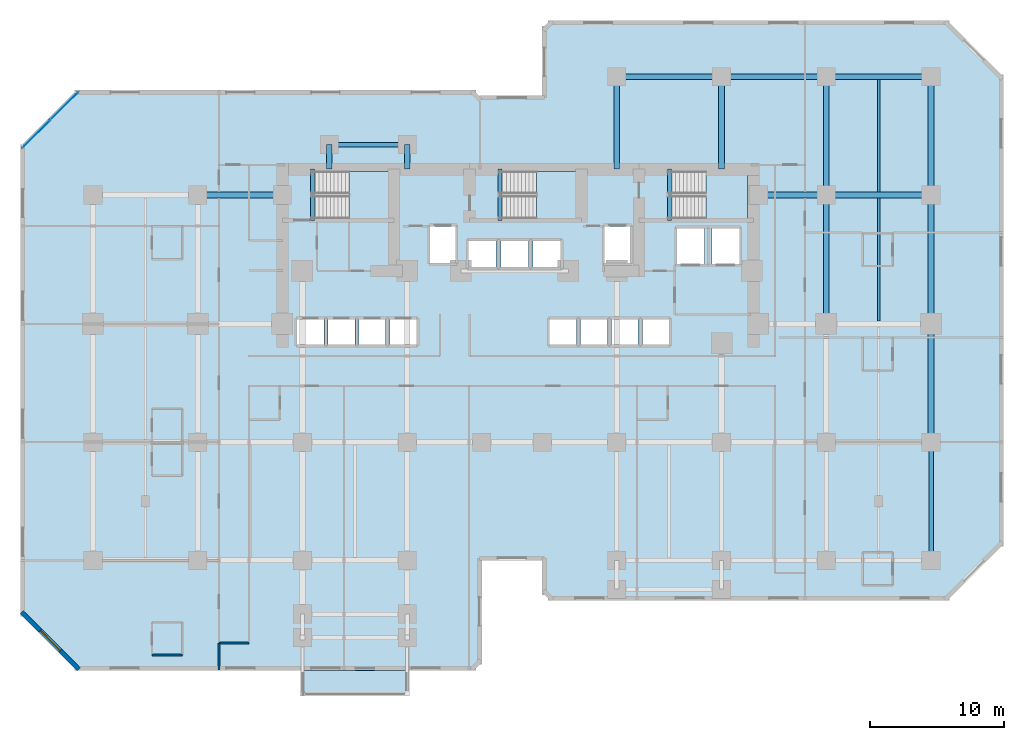
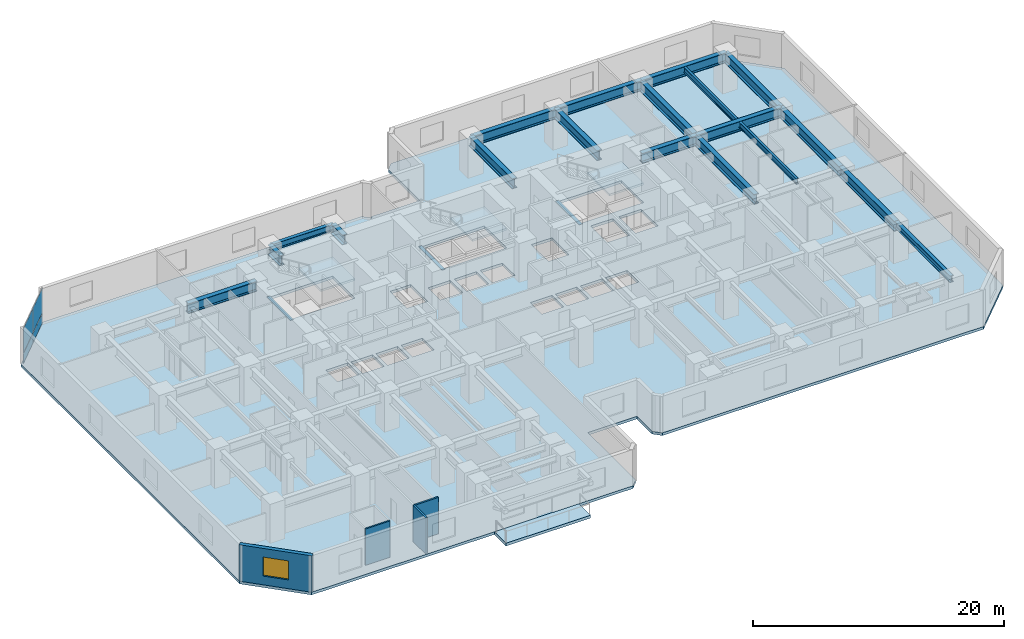
# One storey, part 4 of 11: 22 beams, 5 slabs, 4 plates, 4 walls, 1 window, 1 opening, 4 elements without a shape of their own.
"""IFC4 building model written with IfcOpenShell, lengths in metres."""

import ifcopenshell
import ifcopenshell.guid

model = None  # the IFC model being written
_history = None  # IfcOwnerHistory: only IFC2X3 demands one
_inside = {}  # id of a spatial element -> (the spatial element, [elements in it])
_under = {}  # id of a project, library or spatial element -> (it, [spatial elements below it])
_declared = {}  # id of a project -> (the project, [libraries it declares])
_typed = {}  # id of a type object -> (the type object, [elements of that type])
_made_of = {}  # id of a material, layer set ... -> (it, [elements and type objects made of it])


def new_model(schema):
    """Start an empty IFC model of exactly this schema.

    Asked for "IFC4X3", IfcOpenShell would pick the latest addendum, in which some entities
    have other attributes; the version numbers below select the first issue.
    IFC2X3 requires an IfcOwnerHistory on every rooted entity: one is made here for all.
    """
    global model, _history
    if schema == "IFC4X3":
        model = ifcopenshell.file(schema_version=(4, 3, 0, 0))
    else:
        model = ifcopenshell.file(schema=schema)
    _inside.clear()
    _under.clear()
    _declared.clear()
    _typed.clear()
    _made_of.clear()
    _history = None
    if model.schema == "IFC2X3":
        org = make("IfcOrganization", Name="unknown")
        user = make(
            "IfcPersonAndOrganization",
            ThePerson=make("IfcPerson", FamilyName="unknown"),
            TheOrganization=org,
        )
        app = make(
            "IfcApplication",
            ApplicationDeveloper=org,
            Version="unknown",
            ApplicationFullName="unknown",
            ApplicationIdentifier="unknown",
        )
        _history = make(
            "IfcOwnerHistory",
            OwningUser=user,
            OwningApplication=app,
            ChangeAction="ADDED",
            CreationDate=0,
        )
    return model


def make(cls, **values):
    """One entity of the class cls with the attributes given. An attribute that is None is left unset."""
    return model.create_entity(
        cls, **{name: value for name, value in values.items() if value is not None}
    )


def rooted(cls, **values):
    """An entity with a GlobalId (a new one), such as an element, a storey or a relation."""
    return make(cls, GlobalId=ifcopenshell.guid.new(), OwnerHistory=_history, **values)


def si_unit(unit_type, name, prefix=None):
    """IfcSIUnit, for example si_unit("LENGTHUNIT", "METRE", prefix="MILLI")."""
    return make("IfcSIUnit", UnitType=unit_type, Prefix=prefix, Name=name)


def assignment(units):
    """IfcUnitAssignment: the units of a project."""
    return None if units is None else make("IfcUnitAssignment", Units=units)


def point(xyz):
    """IfcCartesianPoint."""
    return None if xyz is None else make("IfcCartesianPoint", Coordinates=xyz)


def direction(xyz):
    """IfcDirection."""
    return None if xyz is None else make("IfcDirection", DirectionRatios=xyz)


def frame(location, z_axis=None, x_axis=None):
    """IfcAxis2Placement3D, a coordinate frame: its origin and axes. An axis left out is left unset."""
    return make(
        "IfcAxis2Placement3D",
        Location=point(location),
        Axis=direction(z_axis),
        RefDirection=direction(x_axis),
    )


def frame_2d(location, x_axis=None):
    """IfcAxis2Placement2D, a coordinate frame in the plane: its origin and x axis."""
    return make(
        "IfcAxis2Placement2D", Location=point(location), RefDirection=direction(x_axis)
    )


def origin():
    """The frame at (0, 0, 0) with its axes left unset."""
    return frame((0.0, 0.0, 0.0))


def origin_2d():
    """The frame at (0, 0) in the plane with its x axis left unset."""
    return frame_2d((0.0, 0.0))


def place(relative_to, where):
    """IfcLocalPlacement: puts the frame where relative to a parent placement (None: the world)."""
    return make(
        "IfcLocalPlacement", PlacementRelTo=relative_to, RelativePlacement=where
    )


def context(
    kind, dimensions, precision=None, world=None, true_north=None, identifier=None
):
    """IfcGeometricRepresentationContext, for example the 3D "Model" context."""
    return make(
        "IfcGeometricRepresentationContext",
        ContextIdentifier=identifier,
        ContextType=kind,
        CoordinateSpaceDimension=dimensions,
        Precision=precision,
        WorldCoordinateSystem=world,
        TrueNorth=true_north,
    )


def subcontext(parent, identifier, kind, view, scale=None):
    """IfcGeometricRepresentationSubContext, for example "Body" below "Model"."""
    return make(
        "IfcGeometricRepresentationSubContext",
        ContextIdentifier=identifier,
        ContextType=kind,
        ParentContext=parent,
        TargetScale=scale,
        TargetView=view,
    )


def project(units=None, contexts=None):
    """IfcProject with its units and contexts."""
    return rooted(
        "IfcProject",
        Name="project",
        RepresentationContexts=contexts,
        UnitsInContext=assignment(units),
    )


def spatial(cls, under=None, at=None, **own):
    """A site, building, storey or space (cls), placed at a placement, below another one or the project."""
    s = rooted(cls, ObjectPlacement=at, **own)
    if under is not None:
        _under.setdefault(under.id(), (under, []))[1].append(s)
    return s


def polyline(points):
    """IfcPolyline through the points."""
    return make("IfcPolyline", Points=[point(p) for p in points])


def profile(cls, at=None, kind="AREA", **sizes):
    """A parametric profile (cls). Its sizes go by their IFC names, for example OverallWidth=200.0."""
    return make(cls, ProfileType=kind, Position=at, **sizes)


def rectangle(**sizes):
    """IfcRectangleProfileDef."""
    return profile("IfcRectangleProfileDef", **sizes)


def i_section(**sizes):
    """IfcIShapeProfileDef."""
    return profile("IfcIShapeProfileDef", **sizes)


def outline(outer, holes=None, kind="AREA"):
    """IfcArbitraryClosedProfileDef: a profile drawn as a closed curve; with holes, ...WithVoids."""
    if holes is None:
        return make("IfcArbitraryClosedProfileDef", ProfileType=kind, OuterCurve=outer)
    return make(
        "IfcArbitraryProfileDefWithVoids",
        ProfileType=kind,
        OuterCurve=outer,
        InnerCurves=holes,
    )


def extrude(swept, where, along, depth):
    """IfcExtrudedAreaSolid: the profile swept, set in the frame where, extruded along a direction by depth."""
    return make(
        "IfcExtrudedAreaSolid",
        SweptArea=swept,
        Position=where,
        ExtrudedDirection=direction(along),
        Depth=depth,
    )


def shape(context_of_items, identifier, shape_type, items):
    """IfcShapeRepresentation: the items that make up one representation, for example the "Body"."""
    return make(
        "IfcShapeRepresentation",
        ContextOfItems=context_of_items,
        RepresentationIdentifier=identifier,
        RepresentationType=shape_type,
        Items=items,
    )


def material(Name=None, Category=None):
    """IfcMaterial."""
    return make("IfcMaterial", Name=Name, Category=Category)


def layer(
    of_material, thickness, ventilated=None, Name=None, Category=None, Priority=None
):
    """IfcMaterialLayer: one layer of a wall or slab, of a material (None: an air gap)."""
    return make(
        "IfcMaterialLayer",
        Material=of_material,
        LayerThickness=thickness,
        IsVentilated=ventilated,
        Name=Name,
        Category=Category,
        Priority=Priority,
    )


def layer_set(layers, Name=None):
    """IfcMaterialLayerSet."""
    return make("IfcMaterialLayerSet", MaterialLayers=layers, LayerSetName=Name)


def material_profile(
    of_material, cross_section, Name=None, Category=None, Priority=None
):
    """IfcMaterialProfile: a cross section and its material."""
    return make(
        "IfcMaterialProfile",
        Name=Name,
        Material=of_material,
        Profile=cross_section,
        Priority=Priority,
        Category=Category,
    )


def profile_set(profiles, Name=None, composite=None):
    """IfcMaterialProfileSet."""
    return make(
        "IfcMaterialProfileSet",
        Name=Name,
        MaterialProfiles=profiles,
        CompositeProfile=composite,
    )


def made_of(thing, what):
    """Note that an element or type object is made of a material, layer set ...; save() writes the relation."""
    if what is not None:
        _made_of.setdefault(what.id(), (what, []))[1].append(thing)
    return thing


def type_object(cls, material=None, **own):
    """A type object (cls), such as IfcWallType, which elements share."""
    return made_of(rooted(cls, **own), material)


def element(
    cls,
    number,
    at=None,
    inside=None,
    cuts=None,
    type_object=None,
    material=None,
    context=None,
    identifier="Body",
    shape_type=None,
    held_by="IfcProductDefinitionShape",
    body=None,
    shapes=None,
    **own,
):
    """One element of the class cls, such as IfcWall. Its Tag is "e" and its number.

    at: its placement. inside: the storey or other place that contains it. cuts: it is an
    opening in that element (IfcRelVoidsElement). A single representation is given by context,
    identifier, shape_type and body (its items); several are given by shapes. held_by: the class
    of the entity that holds the representations. save() writes the other relations.
    """
    e = rooted(cls, Tag="e%d" % number, ObjectPlacement=at, **own)
    if body is not None:
        shapes = [shape(context, identifier, shape_type, body)]
    if shapes is not None:
        e.Representation = make(held_by, Representations=shapes)
    if inside is not None:
        _inside.setdefault(inside.id(), (inside, []))[1].append(e)
    if cuts is not None:
        rooted(
            "IfcRelVoidsElement", RelatingBuildingElement=cuts, RelatedOpeningElement=e
        )
    if type_object is not None:
        _typed.setdefault(type_object.id(), (type_object, []))[1].append(e)
    return made_of(e, material)


def fill(opening, filler):
    """IfcRelFillsElement: the door or window that sits in an opening."""
    return rooted(
        "IfcRelFillsElement",
        RelatingOpeningElement=opening,
        RelatedBuildingElement=filler,
    )


def aggregate(whole, parts):
    """IfcRelAggregates: a whole, such as a stair, and the parts it consists of."""
    return rooted("IfcRelAggregates", RelatingObject=whole, RelatedObjects=parts)


def save(model, path):
    """Write the relations noted so far, then the file.

    IfcRelAggregates (storeys below a building ...), IfcRelContainedInSpatialStructure (elements
    in a storey), IfcRelDefinesByType, IfcRelAssociatesMaterial and IfcRelDeclares: one each for
    every whole, place, type object, material and project.
    """
    for whole, parts in _under.values():
        aggregate(whole, parts)
    for where, things in _inside.values():
        rooted(
            "IfcRelContainedInSpatialStructure",
            RelatedElements=things,
            RelatingStructure=where,
        )
    for kind, things in _typed.values():
        rooted("IfcRelDefinesByType", RelatedObjects=things, RelatingType=kind)
    for what, things in _made_of.values():
        rooted("IfcRelAssociatesMaterial", RelatedObjects=things, RelatingMaterial=what)
    for by, libraries in _declared.values():
        rooted("IfcRelDeclares", RelatingContext=by, RelatedDefinitions=libraries)
    model.write(path)


model = new_model("IFC4")

# Units and contexts
model_context = context("Model", 3, precision=1e-05, world=origin(), true_north=direction((0.0, 1.0)))
body_context = subcontext(model_context, "Body", "Model", "MODEL_VIEW")
ifc_project = project(units=[si_unit("LENGTHUNIT", "METRE"), si_unit("AREAUNIT", "SQUARE_METRE"), si_unit("VOLUMEUNIT", "CUBIC_METRE"), si_unit("PLANEANGLEUNIT", "RADIAN"), si_unit("MASSUNIT", "GRAM", prefix="KILO")], contexts=[model_context])

# Site, building, storey
site_placement = place(None, origin())
site = spatial("IfcSite", under=ifc_project, at=site_placement, CompositionType="ELEMENT")
building_placement = place(site_placement, origin())
building = spatial("IfcBuilding", under=site, at=building_placement, Name="Kestravale Grand Hotel", CompositionType="ELEMENT")
storey_placement = place(building_placement, frame((0.0, 0.0, 37.39990234375)))
storey = spatial("IfcBuildingStorey", under=building, at=storey_placement, Name="L08", CompositionType="ELEMENT", Elevation=37.39990234375)

# Beams
ifc_material_1 = material(Name="Steel ASTM A992 Grade 50", Category="steel")
ifc_material_profile_1 = material_profile(ifc_material_1, i_section(OverallWidth=0.2099609375, OverallDepth=0.535888671875, WebThickness=0.010986328125, FlangeThickness=0.017333984375, FilletRadius=0.017578125, at=origin_2d()))
ifc_profile_set_1 = profile_set([ifc_material_profile_1], Name="Steel ASTM A992 Grade 50")
beam_type_1 = type_object("IfcBeamType", Name="B-FLR-JST21", PredefinedType="JOIST", material=ifc_profile_set_1)
beam_1_placement = place(storey_placement, frame((66.300048828125, 29.011962890625, 3.272216796875), z_axis=(0.0, 1.0, 0.0), x_axis=(-1.0, 0.0, 0.0)))
element("IfcBeam", 1, at=beam_1_placement, inside=storey, type_object=beam_type_1, Name="L08 floor joist 10-11/E-F #1", PredefinedType="JOIST", context=body_context, shape_type="SweptSolid", body=[
    extrude(i_section(OverallWidth=0.2099609375, OverallDepth=0.535888671875, WebThickness=0.010986328125, FlangeThickness=0.017333984375, FilletRadius=0.017578125, at=origin_2d()), origin(), (0.0, 0.0, 1.0), 9.176025390625),
])
beam_2_placement = place(storey_placement, frame((66.300048828125, 38.612060546875, 3.272216796875), z_axis=(0.0, 1.0, 0.0), x_axis=(-1.0, 0.0, 0.0)))
element("IfcBeam", 2, at=beam_2_placement, inside=storey, type_object=beam_type_1, Name="L08 floor joist 10-11/F-G #1", PredefinedType="JOIST", context=body_context, shape_type="SweptSolid", body=[
    extrude(i_section(OverallWidth=0.2099609375, OverallDepth=0.535888671875, WebThickness=0.010986328125, FlangeThickness=0.017333984375, FilletRadius=0.017578125, at=origin_2d()), origin(), (0.0, 0.0, 1.0), 8.3759765625),
])
ifc_material_2 = material(Name="Concrete f'c 45 MPa", Category="concrete")
ifc_material_profile_2 = material_profile(ifc_material_2, rectangle(XDim=0.300048828125, YDim=0.39990234375, at=origin_2d()))
ifc_profile_set_2 = profile_set([ifc_material_profile_2], Name="Concrete f'c 45 MPa")
beam_type_2 = type_object("IfcBeamType", Name="B-FLR-LNT400", PredefinedType="LINTEL", material=ifc_profile_set_2)
for number, where, z_axis, x_axis, name in (
    (3, (24.159912109375, 36.52001953125, -0.199951171875), (0.0, 1.0, 0.0), (-1.0, 0.0, 0.0), "L08 ST1 flight bottom header beam"),
    (4, (38.110107421875, 36.52001953125, -0.199951171875), (0.0, 1.0, 0.0), (-1.0, 0.0, 0.0), "L08 ST2 flight bottom header beam"),
    (5, (50.7099609375, 36.52001953125, -0.199951171875), (0.0, 1.0, 0.0), (-1.0, 0.0, 0.0), "L08 ST3 flight bottom header beam"),
):
    element("IfcBeam", number, at=place(storey_placement, frame(where, z_axis=z_axis, x_axis=x_axis)), inside=storey, type_object=beam_type_2, Name=name, PredefinedType="LINTEL", context=body_context, shape_type="SweptSolid", body=[
        extrude(rectangle(XDim=0.300048828125, YDim=0.39990234375, at=origin_2d()), origin(), (0.0, 0.0, 1.0), 3.800048828125),
    ])
ifc_material_3 = material(Name="Steel ASTM A992 Grade 50", Category="steel")
ifc_material_profile_3 = material_profile(ifc_material_3, i_section(OverallWidth=0.324951171875, OverallDepth=0.612060546875, WebThickness=0.0126953125, FlangeThickness=0.01904296875, FilletRadius=0.018798828125, at=origin_2d()))
ifc_profile_set_3 = profile_set([ifc_material_profile_3], Name="Steel ASTM A992 Grade 50")
beam_type_3 = type_object("IfcBeamType", Name="B-FLR-W24A", PredefinedType="SPANDREL", material=ifc_profile_set_3)
beam_3_placement = place(storey_placement, frame((25.39990234375, 42.14990234375, 3.234130859375), z_axis=(1.0, 0.0, 0.0), x_axis=(0.0, 1.0, 0.0)))
element("IfcBeam", 6, at=beam_3_placement, inside=storey, type_object=beam_type_3, Name="L08 perimeter tie spandrel FN:4-5", PredefinedType="SPANDREL", context=body_context, shape_type="SweptSolid", body=[
    extrude(i_section(OverallWidth=0.324951171875, OverallDepth=0.612060546875, WebThickness=0.0126953125, FlangeThickness=0.01904296875, FilletRadius=0.018798828125, at=origin_2d()), origin(), (0.0, 0.0, 1.0), 5.800048828125),
])
beam_4_placement = place(storey_placement, frame((70.199951171875, 11.199951171875, 3.234130859375), z_axis=(0.0, 1.0, 0.0), x_axis=(-1.0, 0.0, 0.0)))
element("IfcBeam", 7, at=beam_4_placement, inside=storey, type_object=beam_type_3, Name="L08 spandrel 11:C-D", PredefinedType="SPANDREL", context=body_context, shape_type="SweptSolid", body=[
    extrude(i_section(OverallWidth=0.324951171875, OverallDepth=0.612060546875, WebThickness=0.0126953125, FlangeThickness=0.01904296875, FilletRadius=0.018798828125, at=origin_2d()), origin(), (0.0, 0.0, 1.0), 8.800048828125),
])
ifc_material_4 = material(Name="Steel ASTM A992 Grade 50", Category="steel")
ifc_material_profile_4 = material_profile(ifc_material_4, i_section(OverallWidth=0.424072265625, OverallDepth=0.947021484375, WebThickness=0.02392578125, FlangeThickness=0.042724609375, FilletRadius=0.0283203125, at=origin_2d()))
ifc_profile_set_4 = profile_set([ifc_material_profile_4], Name="Steel ASTM A992 Grade 50")
beam_type_4 = type_object("IfcBeamType", Name="B-GRD-W36", PredefinedType="BEAM", material=ifc_profile_set_4)
beam_5_placement = place(storey_placement, frame((15.60009765625, 38.39990234375, 3.066650390625), z_axis=(1.0, 0.0, 0.0), x_axis=(0.0, 1.0, 0.0)))
element("IfcBeam", 8, at=beam_5_placement, inside=storey, type_object=beam_type_4, Name="L08 girder F:3-CW", PredefinedType="BEAM", context=body_context, shape_type="SweptSolid", body=[
    extrude(i_section(OverallWidth=0.424072265625, OverallDepth=0.947021484375, WebThickness=0.02392578125, FlangeThickness=0.042724609375, FilletRadius=0.0283203125, at=origin_2d()), origin(), (0.0, 0.0, 1.0), 6.2998046875),
])
beam_6_placement = place(storey_placement, frame((57.35009765625, 38.39990234375, 3.066650390625), z_axis=(1.0, 0.0, 0.0), x_axis=(0.0, 1.0, 0.0)))
element("IfcBeam", 9, at=beam_6_placement, inside=storey, type_object=beam_type_4, Name="L08 girder F:CE-10", PredefinedType="BEAM", context=body_context, shape_type="SweptSolid", body=[
    extrude(i_section(OverallWidth=0.424072265625, OverallDepth=0.947021484375, WebThickness=0.02392578125, FlangeThickness=0.042724609375, FilletRadius=0.0283203125, at=origin_2d()), origin(), (0.0, 0.0, 1.0), 5.0498046875),
])
for number, where, z_axis, x_axis, name in (
    (10, (62.39990234375, 38.39990234375, 3.066650390625), (1.0, 0.0, 0.0), (0.0, 1.0, 0.0), "L08 girder F:10-11"),
    (11, (46.800048828125, 47.199951171875, 3.066650390625), (1.0, 0.0, 0.0), (0.0, 1.0, 0.0), "L08 girder G:8-9"),
):
    element("IfcBeam", number, at=place(storey_placement, frame(where, z_axis=z_axis, x_axis=x_axis)), inside=storey, type_object=beam_type_4, Name=name, PredefinedType="BEAM", context=body_context, shape_type="SweptSolid", body=[
        extrude(i_section(OverallWidth=0.424072265625, OverallDepth=0.947021484375, WebThickness=0.02392578125, FlangeThickness=0.042724609375, FilletRadius=0.0283203125, at=origin_2d()), origin(), (0.0, 0.0, 1.0), 7.800048828125),
    ])
beam_7_placement = place(storey_placement, frame((54.60009765625, 47.199951171875, 3.066650390625), z_axis=(1.0, 0.0, 0.0), x_axis=(0.0, 1.0, 0.0)))
element("IfcBeam", 12, at=beam_7_placement, inside=storey, type_object=beam_type_4, Name="L08 girder G:9-10", PredefinedType="BEAM", context=body_context, shape_type="SweptSolid", body=[
    extrude(i_section(OverallWidth=0.424072265625, OverallDepth=0.947021484375, WebThickness=0.02392578125, FlangeThickness=0.042724609375, FilletRadius=0.0283203125, at=origin_2d()), origin(), (0.0, 0.0, 1.0), 7.7998046875),
])
beam_8_placement = place(storey_placement, frame((62.39990234375, 47.199951171875, 3.066650390625), z_axis=(1.0, 0.0, 0.0), x_axis=(0.0, 1.0, 0.0)))
element("IfcBeam", 13, at=beam_8_placement, inside=storey, type_object=beam_type_4, Name="L08 girder G:10-11", PredefinedType="BEAM", context=body_context, shape_type="SweptSolid", body=[
    extrude(i_section(OverallWidth=0.424072265625, OverallDepth=0.947021484375, WebThickness=0.02392578125, FlangeThickness=0.042724609375, FilletRadius=0.0283203125, at=origin_2d()), origin(), (0.0, 0.0, 1.0), 7.800048828125),
])
beam_9_placement = place(storey_placement, frame((62.39990234375, 28.800048828125, 3.066650390625), z_axis=(0.0, 1.0, 0.0), x_axis=(-1.0, 0.0, 0.0)))
element("IfcBeam", 14, at=beam_9_placement, inside=storey, type_object=beam_type_4, Name="L08 girder 10:E-F", PredefinedType="BEAM", context=body_context, shape_type="SweptSolid", body=[
    extrude(i_section(OverallWidth=0.424072265625, OverallDepth=0.947021484375, WebThickness=0.02392578125, FlangeThickness=0.042724609375, FilletRadius=0.0283203125, at=origin_2d()), origin(), (0.0, 0.0, 1.0), 9.599853515625),
])
for number, where, z_axis, x_axis, name in (
    (15, (62.39990234375, 38.39990234375, 3.066650390625), (0.0, 1.0, 0.0), (-1.0, 0.0, 0.0), "L08 girder 10:F-G"),
    (16, (70.199951171875, 20.0, 3.066650390625), (0.0, 1.0, 0.0), (-1.0, 0.0, 0.0), "L08 girder 11:D-E"),
):
    element("IfcBeam", number, at=place(storey_placement, frame(where, z_axis=z_axis, x_axis=x_axis)), inside=storey, type_object=beam_type_4, Name=name, PredefinedType="BEAM", context=body_context, shape_type="SweptSolid", body=[
        extrude(i_section(OverallWidth=0.424072265625, OverallDepth=0.947021484375, WebThickness=0.02392578125, FlangeThickness=0.042724609375, FilletRadius=0.0283203125, at=origin_2d()), origin(), (0.0, 0.0, 1.0), 8.800048828125),
    ])
beam_10_placement = place(storey_placement, frame((70.199951171875, 28.800048828125, 3.066650390625), z_axis=(0.0, 1.0, 0.0), x_axis=(-1.0, 0.0, 0.0)))
element("IfcBeam", 17, at=beam_10_placement, inside=storey, type_object=beam_type_4, Name="L08 girder 11:E-F", PredefinedType="BEAM", context=body_context, shape_type="SweptSolid", body=[
    extrude(i_section(OverallWidth=0.424072265625, OverallDepth=0.947021484375, WebThickness=0.02392578125, FlangeThickness=0.042724609375, FilletRadius=0.0283203125, at=origin_2d()), origin(), (0.0, 0.0, 1.0), 9.599853515625),
])
beam_11_placement = place(storey_placement, frame((70.199951171875, 38.39990234375, 3.066650390625), z_axis=(0.0, 1.0, 0.0), x_axis=(-1.0, 0.0, 0.0)))
element("IfcBeam", 18, at=beam_11_placement, inside=storey, type_object=beam_type_4, Name="L08 girder 11:F-G", PredefinedType="BEAM", context=body_context, shape_type="SweptSolid", body=[
    extrude(i_section(OverallWidth=0.424072265625, OverallDepth=0.947021484375, WebThickness=0.02392578125, FlangeThickness=0.042724609375, FilletRadius=0.0283203125, at=origin_2d()), origin(), (0.0, 0.0, 1.0), 8.800048828125),
])
for number, where, z_axis, x_axis, name in (
    (19, (25.39990234375, 40.320068359375, 3.066650390625), (0.0, 1.0, 0.0), (-1.0, 0.0, 0.0), "L08 north wing tie girder 4:CN-FN"),
    (20, (31.199951171875, 40.320068359375, 3.066650390625), (0.0, 1.0, 0.0), (-1.0, 0.0, 0.0), "L08 north wing tie girder 5:CN-FN"),
):
    element("IfcBeam", number, at=place(storey_placement, frame(where, z_axis=z_axis, x_axis=x_axis)), inside=storey, type_object=beam_type_4, Name=name, PredefinedType="BEAM", context=body_context, shape_type="SweptSolid", body=[
        extrude(i_section(OverallWidth=0.424072265625, OverallDepth=0.947021484375, WebThickness=0.02392578125, FlangeThickness=0.042724609375, FilletRadius=0.0283203125, at=origin_2d()), origin(), (0.0, 0.0, 1.0), 1.829833984375),
    ])
for number, where, z_axis, x_axis, name in (
    (21, (46.800048828125, 40.320068359375, 3.066650390625), (0.0, 1.0, 0.0), (-1.0, 0.0, 0.0), "L08 north wing tie girder 8:CN-G"),
    (22, (54.60009765625, 40.320068359375, 3.066650390625), (0.0, 1.0, 0.0), (-1.0, 0.0, 0.0), "L08 north wing tie girder 9:CN-G"),
):
    element("IfcBeam", number, at=place(storey_placement, frame(where, z_axis=z_axis, x_axis=x_axis)), inside=storey, type_object=beam_type_4, Name=name, PredefinedType="BEAM", context=body_context, shape_type="SweptSolid", body=[
        extrude(i_section(OverallWidth=0.424072265625, OverallDepth=0.947021484375, WebThickness=0.02392578125, FlangeThickness=0.042724609375, FilletRadius=0.0283203125, at=origin_2d()), origin(), (0.0, 0.0, 1.0), 6.8798828125),
    ])

# Curtain wall, plates
ifc_material_5 = material(Name="Thermally broken champagne-bronze aluminium and low-E glazing", Category="aluminium")
ifc_layer_1 = layer(ifc_material_5, 0.199951171875)
ifc_layer_set_1 = layer_set([ifc_layer_1], Name="CW-Z1")
curtain_wall_type = type_object("IfcCurtainWallType", Name="CW-Z1", PredefinedType="NOTDEFINED", material=ifc_layer_set_1)
curtain_wall_placement = place(storey_placement, origin())
curtain_wall = element("IfcCurtainWall", 23, at=curtain_wall_placement, inside=storey, type_object=curtain_wall_type, Name="L08 unitised curtain wall 18", PredefinedType="NOTDEFINED")
ifc_material_6 = material(Name="Insulated clear low-E double glazing IGU", Category="glass")
ifc_layer_2 = layer(ifc_material_6, 0.035888671875)
ifc_layer_set_2 = layer_set([ifc_layer_2], Name="CW-PNL-36")
plate_type = type_object("IfcPlateType", Name="CW-PNL-36", PredefinedType="CURTAIN_PANEL", material=ifc_layer_set_2)
plate_1_placement = place(storey_placement, frame((5.6640625, 45.023681640625, 0.0751953125), z_axis=(0.0, 0.0, 1.0), x_axis=(-0.707106781187, -0.707106781187, 0.0)))
plate_1 = element("IfcPlate", 24, at=plate_1_placement, type_object=plate_type, Name="CW-Z1 panel 1.1", PredefinedType="CURTAIN_PANEL", context=body_context, shape_type="SweptSolid", body=[
    extrude(rectangle(XDim=2.87744140625, YDim=0.035888671875, at=origin_2d()), origin(), (0.0, 0.0, 1.0), 0.9375),
])
plate_2_placement = place(storey_placement, frame((5.6640625, 45.023681640625, 1.087646484375), z_axis=(0.0, 0.0, 1.0), x_axis=(-0.707106781187, -0.707106781187, 0.0)))
plate_2 = element("IfcPlate", 25, at=plate_2_placement, type_object=plate_type, Name="CW-Z1 panel 1.2", PredefinedType="CURTAIN_PANEL", context=body_context, shape_type="SweptSolid", body=[
    extrude(rectangle(XDim=2.87744140625, YDim=0.035888671875, at=origin_2d()), origin(), (0.0, 0.0, 1.0), 2.37744140625),
])
plate_3_placement = place(storey_placement, frame((3.576416015625, 42.93603515625, 0.0751953125), z_axis=(0.0, 0.0, 1.0), x_axis=(-0.707106781187, -0.707106781187, 0.0)))
plate_3 = element("IfcPlate", 26, at=plate_3_placement, type_object=plate_type, Name="CW-Z1 panel 2.1", PredefinedType="CURTAIN_PANEL", context=body_context, shape_type="SweptSolid", body=[
    extrude(rectangle(XDim=2.87744140625, YDim=0.035888671875, at=origin_2d()), origin(), (0.0, 0.0, 1.0), 0.9375),
])
plate_4_placement = place(storey_placement, frame((3.576416015625, 42.93603515625, 1.087646484375), z_axis=(0.0, 0.0, 1.0), x_axis=(-0.707106781187, -0.707106781187, 0.0)))
plate_4 = element("IfcPlate", 27, at=plate_4_placement, type_object=plate_type, Name="CW-Z1 panel 2.2", PredefinedType="CURTAIN_PANEL", context=body_context, shape_type="SweptSolid", body=[
    extrude(rectangle(XDim=2.87744140625, YDim=0.035888671875, at=origin_2d()), origin(), (0.0, 0.0, 1.0), 2.37744140625),
])
aggregate(curtain_wall, [plate_1, plate_2, plate_3, plate_4])

# Slab
ifc_material_7 = material(Name="Concrete f'c 45 MPa", Category="concrete")
ifc_layer_3 = layer(ifc_material_7, 0.27001953125)
ifc_layer_set_3 = layer_set([ifc_layer_3], Name="ES-TERR-270")
slab_type_1 = type_object("IfcSlabType", Name="ES-TERR-270", PredefinedType="FLOOR", material=ifc_layer_set_3)
slab_1_placement = place(storey_placement, frame((0.0, 0.0, -0.27001953125)))
element("IfcSlab", 28, at=slab_1_placement, inside=storey, type_object=slab_type_1, Name="L08 spiralling planted garden terrace", PredefinedType="FLOOR", context=body_context, shape_type="SweptSolid", body=[
    extrude(outline(polyline([(23.39990234375, 1.14990234375), (31.199951171875, 1.14990234375), (31.199951171875, 3.0), (23.39990234375, 3.0), (23.39990234375, 1.14990234375)])), origin(), (0.0, 0.0, 1.0), 0.27001953125),
])

# Stair, slab
ifc_material_8 = material(Name="Concrete f'c 45 MPa", Category="concrete")
stair_type = type_object("IfcStairType", Name="ST-CORE-380", PredefinedType="HALF_TURN_STAIR", material=ifc_material_8)
stair_1_placement = place(storey_placement, origin())
stair_1 = element("IfcStair", 29, at=stair_1_placement, inside=storey, type_object=stair_type, Name="L08 ST-1", PredefinedType="HALF_TURN_STAIR")
ifc_material_9 = material(Name="Concrete f'c 45 MPa", Category="concrete")
ifc_layer_4 = layer(ifc_material_9, 0.199951171875)
ifc_layer_set_4 = layer_set([ifc_layer_4], Name="SLB-ST-LND200")
slab_type_2 = type_object("IfcSlabType", Name="SLB-ST-LND200", PredefinedType="LANDING", material=ifc_layer_set_4)
slab_2_placement = place(storey_placement, frame((0.0, 0.0, 1.7001953125)))
slab_2 = element("IfcSlab", 30, at=slab_2_placement, type_object=slab_type_2, Name="ST-1 landing 1", PredefinedType="LANDING", context=body_context, shape_type="SweptSolid", body=[
    extrude(outline(polyline([(26.8798828125, 36.64990234375), (30.0, 36.64990234375), (30.0, 40.159912109375), (26.8798828125, 40.159912109375), (26.8798828125, 36.64990234375)])), origin(), (0.0, 0.0, 1.0), 0.199951171875),
])
aggregate(stair_1, [slab_2])

stair_2_placement = place(storey_placement, origin())
stair_2 = element("IfcStair", 31, at=stair_2_placement, inside=storey, type_object=stair_type, Name="L08 ST-2", PredefinedType="HALF_TURN_STAIR")
slab_3_placement = place(storey_placement, frame((0.0, 0.0, 1.7001953125)))
slab_3 = element("IfcSlab", 32, at=slab_3_placement, type_object=slab_type_2, Name="ST-2 landing 1", PredefinedType="LANDING", context=body_context, shape_type="SweptSolid", body=[
    extrude(outline(polyline([(40.830078125, 36.64990234375), (43.949951171875, 36.64990234375), (43.949951171875, 40.159912109375), (40.830078125, 40.159912109375), (40.830078125, 36.64990234375)])), origin(), (0.0, 0.0, 1.0), 0.199951171875),
])
aggregate(stair_2, [slab_3])

stair_3_placement = place(storey_placement, origin())
stair_3 = element("IfcStair", 33, at=stair_3_placement, inside=storey, type_object=stair_type, Name="L08 ST-3", PredefinedType="HALF_TURN_STAIR")
slab_4_placement = place(storey_placement, frame((0.0, 0.0, 1.7001953125)))
slab_4 = element("IfcSlab", 34, at=slab_4_placement, type_object=slab_type_2, Name="ST-3 landing 1", PredefinedType="LANDING", context=body_context, shape_type="SweptSolid", body=[
    extrude(outline(polyline([(53.429931640625, 36.64990234375), (56.550048828125, 36.64990234375), (56.550048828125, 40.159912109375), (53.429931640625, 40.159912109375), (53.429931640625, 36.64990234375)])), origin(), (0.0, 0.0, 1.0), 0.199951171875),
])
aggregate(stair_3, [slab_4])

# Slab
ifc_material_10 = material(Name="Concrete f'c 45 MPa", Category="concrete")
ifc_layer_5 = layer(ifc_material_10, 0.260009765625)
ifc_layer_set_5 = layer_set([ifc_layer_5], Name="SS-FLR-260")
slab_type_3 = type_object("IfcSlabType", Name="SS-FLR-260", PredefinedType="FLOOR", material=ifc_layer_set_5)
slab_5_placement = place(storey_placement, frame((0.0, 0.0, -0.260009765625)))
element("IfcSlab", 35, at=slab_5_placement, inside=storey, type_object=slab_type_3, Name="L08 structural floor slab", PredefinedType="FLOOR", context=body_context, shape_type="SweptSolid", body=[
    extrude(outline(polyline([(6.60009765625, 3.0), (36.14990234375, 3.0), (36.75, 3.60009765625), (36.75, 11.199951171875), (41.25, 11.199951171875), (41.25, 8.800048828125), (41.85009765625, 8.199951171875), (71.39990234375, 8.199951171875), (75.60009765625, 12.39990234375), (75.60009765625, 47.199951171875), (71.39990234375, 51.39990234375), (41.85009765625, 51.39990234375), (41.25, 50.800048828125), (41.25, 45.800048828125), (36.75, 45.800048828125), (36.75, 45.60009765625), (36.14990234375, 46.199951171875), (6.60009765625, 46.199951171875), (2.39990234375, 42.0), (2.39990234375, 7.199951171875), (6.60009765625, 3.0)]), holes=[polyline([(24.080078125, 36.64990234375), (30.0, 36.64990234375), (30.0, 40.159912109375), (24.080078125, 40.159912109375), (24.080078125, 36.64990234375)]), polyline([(38.030029296875, 36.64990234375), (43.949951171875, 36.64990234375), (43.949951171875, 40.159912109375), (38.030029296875, 40.159912109375), (38.030029296875, 36.64990234375)]), polyline([(50.6298828125, 36.64990234375), (56.550048828125, 36.64990234375), (56.550048828125, 40.159912109375), (50.6298828125, 40.159912109375), (50.6298828125, 36.64990234375)]), polyline([(23.0048828125, 27.280029296875), (24.9951171875, 27.280029296875), (24.9951171875, 29.1201171875), (23.0048828125, 29.1201171875), (23.0048828125, 27.280029296875)]), polyline([(25.304931640625, 27.280029296875), (27.294921875, 27.280029296875), (27.294921875, 29.1201171875), (25.304931640625, 29.1201171875), (25.304931640625, 27.280029296875)]), polyline([(27.60498046875, 27.280029296875), (29.594970703125, 27.280029296875), (29.594970703125, 29.1201171875), (27.60498046875, 29.1201171875), (27.60498046875, 27.280029296875)]), polyline([(29.905029296875, 27.280029296875), (31.89501953125, 27.280029296875), (31.89501953125, 29.1201171875), (29.905029296875, 29.1201171875), (29.905029296875, 27.280029296875)]), polyline([(41.804931640625, 27.280029296875), (43.794921875, 27.280029296875), (43.794921875, 29.1201171875), (41.804931640625, 29.1201171875), (41.804931640625, 27.280029296875)]), polyline([(44.10498046875, 27.280029296875), (46.094970703125, 27.280029296875), (46.094970703125, 29.1201171875), (44.10498046875, 29.1201171875), (44.10498046875, 27.280029296875)]), polyline([(46.405029296875, 27.280029296875), (48.39501953125, 27.280029296875), (48.39501953125, 29.1201171875), (46.405029296875, 29.1201171875), (46.405029296875, 27.280029296875)]), polyline([(48.705078125, 27.280029296875), (50.695068359375, 27.280029296875), (50.695068359375, 29.1201171875), (48.705078125, 29.1201171875), (48.705078125, 27.280029296875)]), polyline([(35.780029296875, 33.030029296875), (37.820068359375, 33.030029296875), (37.820068359375, 34.969970703125), (35.780029296875, 34.969970703125), (35.780029296875, 33.030029296875)]), polyline([(38.179931640625, 33.030029296875), (40.219970703125, 33.030029296875), (40.219970703125, 34.969970703125), (38.179931640625, 34.969970703125), (38.179931640625, 33.030029296875)]), polyline([(40.580078125, 33.030029296875), (42.6201171875, 33.030029296875), (42.6201171875, 34.969970703125), (40.580078125, 34.969970703125), (40.580078125, 33.030029296875)]), polyline([(32.905029296875, 33.35498046875), (34.794921875, 33.35498046875), (34.794921875, 36.044921875), (32.905029296875, 36.044921875), (32.905029296875, 33.35498046875)]), polyline([(45.905029296875, 33.35498046875), (47.794921875, 33.35498046875), (47.794921875, 36.044921875), (45.905029296875, 36.044921875), (45.905029296875, 33.35498046875)]), polyline([(51.280029296875, 33.280029296875), (53.320068359375, 33.280029296875), (53.320068359375, 35.919921875), (51.280029296875, 35.919921875), (51.280029296875, 33.280029296875)]), polyline([(53.8798828125, 33.280029296875), (55.919921875, 33.280029296875), (55.919921875, 35.919921875), (53.8798828125, 35.919921875), (53.8798828125, 33.280029296875)])]), origin(), (0.0, 0.0, 1.0), 0.260009765625),
])

# Wall, opening, window
ifc_material_11 = material(Name="Precast concrete f'c 45 MPa", Category="concrete")
ifc_layer_6 = layer(ifc_material_11, 0.340087890625)
ifc_layer_set_6 = layer_set([ifc_layer_6], Name="EW-PREC-340")
wall_type_1 = type_object("IfcWallType", Name="EW-PREC-340", PredefinedType="SOLIDWALL", material=ifc_layer_set_6)
wall_1_placement = place(storey_placement, frame((2.491943359375, 7.348388671875, 0.0), z_axis=(0.0, 0.0, 1.0), x_axis=(0.707106781187, -0.707106781187, 0.0)))
wall_1 = element("IfcWall", 36, at=wall_1_placement, inside=storey, type_object=wall_type_1, Name="L08 fluted precast facade wall 20", PredefinedType="SOLIDWALL", context=body_context, shape_type="SweptSolid", body=[
    extrude(rectangle(XDim=6.019775390625, YDim=0.340087890625, at=frame_2d((3.009765625, 0.0))), origin(), (0.0, 0.0, 1.0), 3.5400390625),
])
opening_placement = place(wall_1_placement, frame((1.9599609375, 0.0, 0.85009765625)))
opening = element("IfcOpeningElement", 37, at=opening_placement, cuts=wall_1, Name="Opening W-GUEST-2100", PredefinedType="OPENING", context=body_context, shape_type="SweptSolid", body=[
    extrude(rectangle(XDim=2.10009765625, YDim=1.85009765625, at=frame_2d((1.050048828125, 0.925048828125))), frame((0.0, 0.179931640625, 0.0), z_axis=(0.0, -1.0, 0.0), x_axis=(1.0, 0.0, 0.0)), (0.0, 0.0, 1.0), 0.360107421875),
])
ifc_material_12 = material(Name="Insulated low-E double glazing in aluminium frame", Category="aluminium")
window_type = type_object("IfcWindowType", Name="W-GUEST-2100", PartitioningType="DOUBLE_PANEL_VERTICAL", PredefinedType="WINDOW", material=ifc_material_12)
window_placement = place(opening_placement, origin())
window = element("IfcWindow", 38, at=window_placement, inside=storey, type_object=window_type, Name="L08 exterior window 20.1", OverallHeight=1.85009765625, OverallWidth=2.10009765625, PartitioningType="SINGLE_PANEL", PredefinedType="WINDOW", context=body_context, shape_type="SweptSolid", body=[
    extrude(rectangle(XDim=2.10009765625, YDim=1.85009765625, at=frame_2d((1.050048828125, 0.925048828125))), frame((0.0, 0.030029296875, 0.0), z_axis=(0.0, -1.0, 0.0), x_axis=(1.0, 0.0, 0.0)), (0.0, 0.0, 1.0), 0.06005859375),
])
fill(opening, window)

# Walls
ifc_material_13 = material(Name="Moisture-resistant tile-backer plumbing chase wall", Category="other")
ifc_layer_7 = layer(ifc_material_13, 0.139892578125)
ifc_layer_set_7 = layer_set([ifc_layer_7], Name="IW-PLB-140")
wall_type_2 = type_object("IfcWallType", Name="IW-PLB-140", PredefinedType="PLUMBINGWALL", material=ifc_layer_set_7)
wall_2_placement = place(storey_placement, frame((12.199951171875, 4.14990234375, 0.0), z_axis=(0.0, 0.0, 1.0), x_axis=(1.0, 0.0, 0.0)))
element("IfcWall", 39, at=wall_2_placement, inside=storey, type_object=wall_type_2, Name="W-L08-U03-BS", PredefinedType="PLUMBINGWALL", context=body_context, shape_type="SweptSolid", body=[
    extrude(rectangle(XDim=2.25, YDim=0.139892578125, at=frame_2d((1.125, 0.0))), origin(), (0.0, 0.0, 1.0), 3.5400390625),
])
ifc_material_14 = material(Name="Double-stud STC 52 acoustic demising partition", Category="other")
ifc_layer_8 = layer(ifc_material_14, 0.14990234375)
ifc_layer_set_8 = layer_set([ifc_layer_8], Name="IW-UNIT-150")
wall_type_3 = type_object("IfcWallType", Name="IW-UNIT-150", PredefinedType="PARTITIONING", material=ifc_layer_set_8)
wall_3_placement = place(storey_placement, frame((17.18994140625, 5.050048828125, 0.0), z_axis=(0.0, 0.0, 1.0), x_axis=(1.0, 0.0, 0.0)))
element("IfcWall", 40, at=wall_3_placement, inside=storey, type_object=wall_type_3, Name="W-L08-SW-S", PredefinedType="PARTITIONING", context=body_context, shape_type="SweptSolid", body=[
    extrude(rectangle(XDim=2.219970703125, YDim=0.14990234375, at=frame_2d((1.10986328125, 0.0))), origin(), (0.0, 0.0, 1.0), 3.5400390625),
])
wall_4_placement = place(storey_placement, frame((17.18994140625, 3.02001953125, 0.0), z_axis=(0.0, 0.0, 1.0), x_axis=(0.0, 1.0, 0.0)))
element("IfcWall", 41, at=wall_4_placement, inside=storey, type_object=wall_type_3, Name="W-L08-SW-EXT", PredefinedType="PARTITIONING", context=body_context, shape_type="SweptSolid", body=[
    extrude(rectangle(XDim=2.030029296875, YDim=0.14990234375, at=frame_2d((1.01513671875, 0.0))), origin(), (0.0, 0.0, 1.0), 3.5400390625),
])

save(model, "model.ifc")
